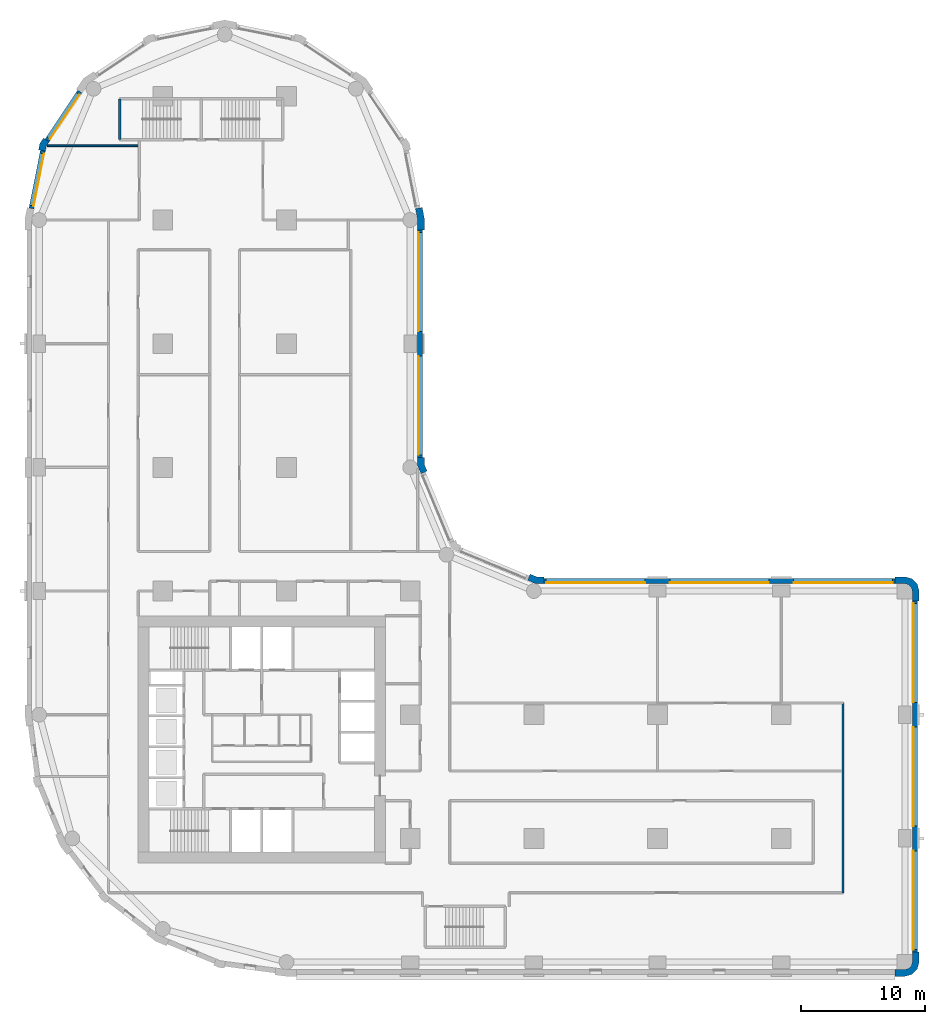
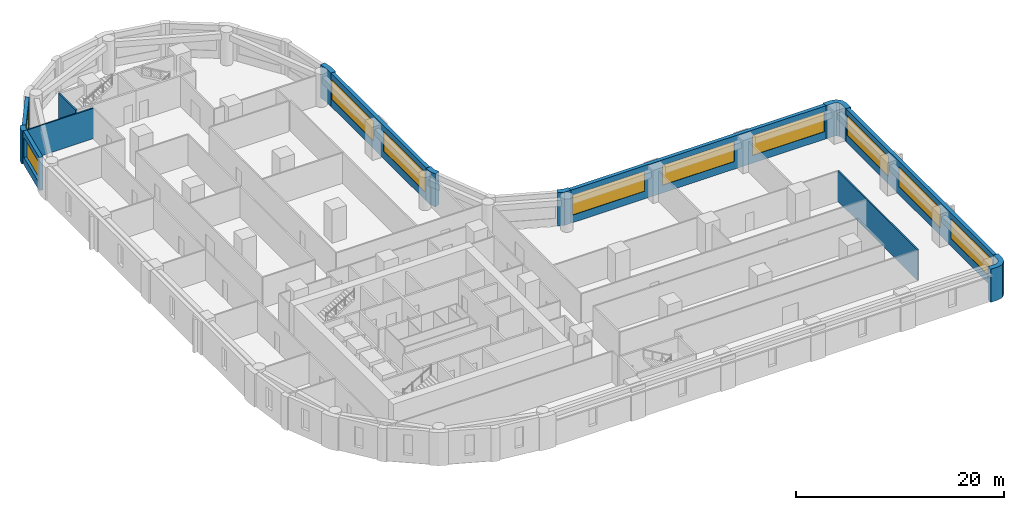
# One storey, part 6 of 10: 14 walls, 10 windows, 10 openings.
"""IFC4 building model written with IfcOpenShell, lengths in metres."""

import ifcopenshell
import ifcopenshell.guid

model = None  # the IFC model being written
_history = None  # IfcOwnerHistory: only IFC2X3 demands one
_inside = {}  # id of a spatial element -> (the spatial element, [elements in it])
_under = {}  # id of a project, library or spatial element -> (it, [spatial elements below it])
_declared = {}  # id of a project -> (the project, [libraries it declares])
_typed = {}  # id of a type object -> (the type object, [elements of that type])
_made_of = {}  # id of a material, layer set ... -> (it, [elements and type objects made of it])


def new_model(schema):
    """Start an empty IFC model of exactly this schema.

    Asked for "IFC4X3", IfcOpenShell would pick the latest addendum, in which some entities
    have other attributes; the version numbers below select the first issue.
    IFC2X3 requires an IfcOwnerHistory on every rooted entity: one is made here for all.
    """
    global model, _history
    if schema == "IFC4X3":
        model = ifcopenshell.file(schema_version=(4, 3, 0, 0))
    else:
        model = ifcopenshell.file(schema=schema)
    _inside.clear()
    _under.clear()
    _declared.clear()
    _typed.clear()
    _made_of.clear()
    _history = None
    if model.schema == "IFC2X3":
        org = make("IfcOrganization", Name="unknown")
        user = make(
            "IfcPersonAndOrganization",
            ThePerson=make("IfcPerson", FamilyName="unknown"),
            TheOrganization=org,
        )
        app = make(
            "IfcApplication",
            ApplicationDeveloper=org,
            Version="unknown",
            ApplicationFullName="unknown",
            ApplicationIdentifier="unknown",
        )
        _history = make(
            "IfcOwnerHistory",
            OwningUser=user,
            OwningApplication=app,
            ChangeAction="ADDED",
            CreationDate=0,
        )
    return model


def make(cls, **values):
    """One entity of the class cls with the attributes given. An attribute that is None is left unset."""
    return model.create_entity(
        cls, **{name: value for name, value in values.items() if value is not None}
    )


def rooted(cls, **values):
    """An entity with a GlobalId (a new one), such as an element, a storey or a relation."""
    return make(cls, GlobalId=ifcopenshell.guid.new(), OwnerHistory=_history, **values)


def si_unit(unit_type, name, prefix=None):
    """IfcSIUnit, for example si_unit("LENGTHUNIT", "METRE", prefix="MILLI")."""
    return make("IfcSIUnit", UnitType=unit_type, Prefix=prefix, Name=name)


def assignment(units):
    """IfcUnitAssignment: the units of a project."""
    return None if units is None else make("IfcUnitAssignment", Units=units)


def point(xyz):
    """IfcCartesianPoint."""
    return None if xyz is None else make("IfcCartesianPoint", Coordinates=xyz)


def direction(xyz):
    """IfcDirection."""
    return None if xyz is None else make("IfcDirection", DirectionRatios=xyz)


def frame(location, z_axis=None, x_axis=None):
    """IfcAxis2Placement3D, a coordinate frame: its origin and axes. An axis left out is left unset."""
    return make(
        "IfcAxis2Placement3D",
        Location=point(location),
        Axis=direction(z_axis),
        RefDirection=direction(x_axis),
    )


def frame_2d(location, x_axis=None):
    """IfcAxis2Placement2D, a coordinate frame in the plane: its origin and x axis."""
    return make(
        "IfcAxis2Placement2D", Location=point(location), RefDirection=direction(x_axis)
    )


def origin():
    """The frame at (0, 0, 0) with its axes left unset."""
    return frame((0.0, 0.0, 0.0))


def place(relative_to, where):
    """IfcLocalPlacement: puts the frame where relative to a parent placement (None: the world)."""
    return make(
        "IfcLocalPlacement", PlacementRelTo=relative_to, RelativePlacement=where
    )


def context(
    kind, dimensions, precision=None, world=None, true_north=None, identifier=None
):
    """IfcGeometricRepresentationContext, for example the 3D "Model" context."""
    return make(
        "IfcGeometricRepresentationContext",
        ContextIdentifier=identifier,
        ContextType=kind,
        CoordinateSpaceDimension=dimensions,
        Precision=precision,
        WorldCoordinateSystem=world,
        TrueNorth=true_north,
    )


def subcontext(parent, identifier, kind, view, scale=None):
    """IfcGeometricRepresentationSubContext, for example "Body" below "Model"."""
    return make(
        "IfcGeometricRepresentationSubContext",
        ContextIdentifier=identifier,
        ContextType=kind,
        ParentContext=parent,
        TargetScale=scale,
        TargetView=view,
    )


def project(units=None, contexts=None):
    """IfcProject with its units and contexts."""
    return rooted(
        "IfcProject",
        Name="project",
        RepresentationContexts=contexts,
        UnitsInContext=assignment(units),
    )


def spatial(cls, under=None, at=None, **own):
    """A site, building, storey or space (cls), placed at a placement, below another one or the project."""
    s = rooted(cls, ObjectPlacement=at, **own)
    if under is not None:
        _under.setdefault(under.id(), (under, []))[1].append(s)
    return s


def polyline(points):
    """IfcPolyline through the points."""
    return make("IfcPolyline", Points=[point(p) for p in points])


def profile(cls, at=None, kind="AREA", **sizes):
    """A parametric profile (cls). Its sizes go by their IFC names, for example OverallWidth=200.0."""
    return make(cls, ProfileType=kind, Position=at, **sizes)


def rectangle(**sizes):
    """IfcRectangleProfileDef."""
    return profile("IfcRectangleProfileDef", **sizes)


def outline(outer, holes=None, kind="AREA"):
    """IfcArbitraryClosedProfileDef: a profile drawn as a closed curve; with holes, ...WithVoids."""
    if holes is None:
        return make("IfcArbitraryClosedProfileDef", ProfileType=kind, OuterCurve=outer)
    return make(
        "IfcArbitraryProfileDefWithVoids",
        ProfileType=kind,
        OuterCurve=outer,
        InnerCurves=holes,
    )


def extrude(swept, where, along, depth):
    """IfcExtrudedAreaSolid: the profile swept, set in the frame where, extruded along a direction by depth."""
    return make(
        "IfcExtrudedAreaSolid",
        SweptArea=swept,
        Position=where,
        ExtrudedDirection=direction(along),
        Depth=depth,
    )


def shape(context_of_items, identifier, shape_type, items):
    """IfcShapeRepresentation: the items that make up one representation, for example the "Body"."""
    return make(
        "IfcShapeRepresentation",
        ContextOfItems=context_of_items,
        RepresentationIdentifier=identifier,
        RepresentationType=shape_type,
        Items=items,
    )


def material(Name=None, Category=None):
    """IfcMaterial."""
    return make("IfcMaterial", Name=Name, Category=Category)


def layer(
    of_material, thickness, ventilated=None, Name=None, Category=None, Priority=None
):
    """IfcMaterialLayer: one layer of a wall or slab, of a material (None: an air gap)."""
    return make(
        "IfcMaterialLayer",
        Material=of_material,
        LayerThickness=thickness,
        IsVentilated=ventilated,
        Name=Name,
        Category=Category,
        Priority=Priority,
    )


def layer_set(layers, Name=None):
    """IfcMaterialLayerSet."""
    return make("IfcMaterialLayerSet", MaterialLayers=layers, LayerSetName=Name)


def made_of(thing, what):
    """Note that an element or type object is made of a material, layer set ...; save() writes the relation."""
    if what is not None:
        _made_of.setdefault(what.id(), (what, []))[1].append(thing)
    return thing


def type_object(cls, material=None, **own):
    """A type object (cls), such as IfcWallType, which elements share."""
    return made_of(rooted(cls, **own), material)


def element(
    cls,
    number,
    at=None,
    inside=None,
    cuts=None,
    type_object=None,
    material=None,
    context=None,
    identifier="Body",
    shape_type=None,
    held_by="IfcProductDefinitionShape",
    body=None,
    shapes=None,
    **own,
):
    """One element of the class cls, such as IfcWall. Its Tag is "e" and its number.

    at: its placement. inside: the storey or other place that contains it. cuts: it is an
    opening in that element (IfcRelVoidsElement). A single representation is given by context,
    identifier, shape_type and body (its items); several are given by shapes. held_by: the class
    of the entity that holds the representations. save() writes the other relations.
    """
    e = rooted(cls, Tag="e%d" % number, ObjectPlacement=at, **own)
    if body is not None:
        shapes = [shape(context, identifier, shape_type, body)]
    if shapes is not None:
        e.Representation = make(held_by, Representations=shapes)
    if inside is not None:
        _inside.setdefault(inside.id(), (inside, []))[1].append(e)
    if cuts is not None:
        rooted(
            "IfcRelVoidsElement", RelatingBuildingElement=cuts, RelatedOpeningElement=e
        )
    if type_object is not None:
        _typed.setdefault(type_object.id(), (type_object, []))[1].append(e)
    return made_of(e, material)


def fill(opening, filler):
    """IfcRelFillsElement: the door or window that sits in an opening."""
    return rooted(
        "IfcRelFillsElement",
        RelatingOpeningElement=opening,
        RelatedBuildingElement=filler,
    )


def aggregate(whole, parts):
    """IfcRelAggregates: a whole, such as a stair, and the parts it consists of."""
    return rooted("IfcRelAggregates", RelatingObject=whole, RelatedObjects=parts)


def save(model, path):
    """Write the relations noted so far, then the file.

    IfcRelAggregates (storeys below a building ...), IfcRelContainedInSpatialStructure (elements
    in a storey), IfcRelDefinesByType, IfcRelAssociatesMaterial and IfcRelDeclares: one each for
    every whole, place, type object, material and project.
    """
    for whole, parts in _under.values():
        aggregate(whole, parts)
    for where, things in _inside.values():
        rooted(
            "IfcRelContainedInSpatialStructure",
            RelatedElements=things,
            RelatingStructure=where,
        )
    for kind, things in _typed.values():
        rooted("IfcRelDefinesByType", RelatedObjects=things, RelatingType=kind)
    for what, things in _made_of.values():
        rooted("IfcRelAssociatesMaterial", RelatedObjects=things, RelatingMaterial=what)
    for by, libraries in _declared.values():
        rooted("IfcRelDeclares", RelatingContext=by, RelatedDefinitions=libraries)
    model.write(path)


model = new_model("IFC4")

# Units and contexts
model_context = context("Model", 3, precision=1e-05, world=origin(), true_north=direction((0.0, 1.0)))
body_context = subcontext(model_context, "Body", "Model", "MODEL_VIEW")
ifc_project = project(units=[si_unit("LENGTHUNIT", "METRE"), si_unit("AREAUNIT", "SQUARE_METRE"), si_unit("VOLUMEUNIT", "CUBIC_METRE"), si_unit("PLANEANGLEUNIT", "RADIAN"), si_unit("MASSUNIT", "GRAM", prefix="KILO")], contexts=[model_context])

# Site, building, storey
site_placement = place(None, origin())
site = spatial("IfcSite", under=ifc_project, at=site_placement, CompositionType="ELEMENT")
building_placement = place(site_placement, origin())
building = spatial("IfcBuilding", under=site, at=building_placement, Name="Qaws Garden Tower", CompositionType="ELEMENT")
storey_placement = place(building_placement, frame((0.0, 0.0, 12.0)))
storey = spatial("IfcBuildingStorey", under=building, at=storey_placement, Name="L02", CompositionType="ELEMENT", Elevation=12.0)

# Walls
ifc_material_1 = material(Name="Clay facing brick masonry", Category="masonry")
ifc_layer_1 = layer(ifc_material_1, 0.550048828125)
ifc_layer_set_1 = layer_set([ifc_layer_1], Name="Clay facing brick masonry")
wall_type_1 = type_object("IfcWallType", Name="Brick corner pier 550 x 2400", PredefinedType="SOLIDWALL", material=ifc_layer_set_1)
placement = place(storey_placement, origin())
element("IfcWall", 1, at=placement, inside=storey, type_object=wall_type_1, Name="E-L02-pier-05", PredefinedType="SOLIDWALL", context=body_context, shape_type="SweptSolid", body=[
    extrude(outline(polyline([(69.199951171875, -1.0), (69.199951171875, -1.14990234375), (70.0, -1.14990234375), (70.574951171875, -0.995849609375), (70.995849609375, -0.574951171875), (71.14990234375, 0.0), (71.14990234375, 0.800048828125), (71.0, 0.800048828125), (70.60009765625, 0.800048828125), (70.60009765625, 0.0), (70.51953125, -0.300048828125), (70.300048828125, -0.51953125), (70.0, -0.60009765625), (69.199951171875, -0.60009765625), (69.199951171875, -1.0)])), origin(), (0.0, 0.0, 1.0), 3.89990234375),
])
element("IfcWall", 2, at=placement, inside=storey, type_object=wall_type_1, Name="E-L02-pier-08", PredefinedType="SOLIDWALL", context=body_context, shape_type="SweptSolid", body=[
    extrude(outline(polyline([(71.0, 29.199951171875), (71.14990234375, 29.199951171875), (71.14990234375, 30.0), (70.995849609375, 30.574951171875), (70.574951171875, 30.995849609375), (70.0, 31.14990234375), (69.199951171875, 31.14990234375), (69.199951171875, 31.0), (69.199951171875, 30.60009765625), (70.0, 30.60009765625), (70.300048828125, 30.51953125), (70.51953125, 30.300048828125), (70.60009765625, 30.0), (70.60009765625, 29.199951171875), (71.0, 29.199951171875)])), origin(), (0.0, 0.0, 1.0), 3.89990234375),
])

# Wall, openings, windows
ifc_material_2 = material(Name="Clay facing brick masonry", Category="masonry")
ifc_layer_2 = layer(ifc_material_2, 0.39990234375)
ifc_layer_set_2 = layer_set([ifc_layer_2], Name="Clay facing brick masonry")
wall_type_2 = type_object("IfcWallType", Name="Brick infill wall 400", PredefinedType="SOLIDWALL", material=ifc_layer_set_2)
wall_3_placement = place(storey_placement, frame((70.800048828125, 0.800048828125, 0.0), z_axis=(0.0, 0.0, 1.0), x_axis=(0.0, 1.0, 0.0)))
wall_3 = element("IfcWall", 3, at=wall_3_placement, inside=storey, type_object=wall_type_2, Name="E-L02-infill-05", PredefinedType="SOLIDWALL", context=body_context, shape_type="SweptSolid", body=[
    extrude(rectangle(XDim=28.39990234375, YDim=0.39990234375, at=frame_2d((14.199951171875, 0.0))), origin(), (0.0, 0.0, 1.0), 3.89990234375),
])
opening_1_placement = place(wall_3_placement, frame((0.199951171875, 0.0, 0.89990234375)))
opening_1 = element("IfcOpeningElement", 4, at=opening_1_placement, cuts=wall_3, Name="Opening W01", PredefinedType="OPENING", context=body_context, shape_type="SweptSolid", body=[
    extrude(rectangle(XDim=8.0, YDim=2.35009765625, at=frame_2d((4.0, 1.175048828125))), frame((0.0, 0.2099609375, 0.0), z_axis=(0.0, -1.0, 0.0), x_axis=(1.0, 0.0, 0.0)), (0.0, 0.0, 1.0), 0.419921875),
])
opening_2_placement = place(wall_3_placement, frame((10.199951171875, 0.0, 0.89990234375)))
opening_2 = element("IfcOpeningElement", 5, at=opening_2_placement, cuts=wall_3, Name="Opening W01", PredefinedType="OPENING", context=body_context, shape_type="SweptSolid", body=[
    extrude(rectangle(XDim=8.0, YDim=2.35009765625, at=frame_2d((4.0, 1.175048828125))), frame((0.0, 0.2099609375, 0.0), z_axis=(0.0, -1.0, 0.0), x_axis=(1.0, 0.0, 0.0)), (0.0, 0.0, 1.0), 0.419921875),
])
opening_3_placement = place(wall_3_placement, frame((20.199951171875, 0.0, 0.89990234375)))
opening_3 = element("IfcOpeningElement", 6, at=opening_3_placement, cuts=wall_3, Name="Opening W01", PredefinedType="OPENING", context=body_context, shape_type="SweptSolid", body=[
    extrude(rectangle(XDim=8.0, YDim=2.35009765625, at=frame_2d((4.0, 1.175048828125))), frame((0.0, 0.2099609375, 0.0), z_axis=(0.0, -1.0, 0.0), x_axis=(1.0, 0.0, 0.0)), (0.0, 0.0, 1.0), 0.419921875),
])
ifc_material_3 = material(Name="Aluminium framed window, clear glazing", Category="aluminium")
window_type_1 = type_object("IfcWindowType", Name="Ribbon window 8000 x 2350", PartitioningType="DOUBLE_PANEL_VERTICAL", PredefinedType="WINDOW", material=ifc_material_3)
window_1_placement = place(opening_1_placement, origin())
window_1 = element("IfcWindow", 7, at=window_1_placement, inside=storey, type_object=window_type_1, Name="E-L02-window-05-0", OverallHeight=2.35009765625, OverallWidth=8.0, PartitioningType="SINGLE_PANEL", PredefinedType="WINDOW", context=body_context, shape_type="SweptSolid", body=[
    extrude(rectangle(XDim=8.0, YDim=2.35009765625, at=frame_2d((4.0, 1.175048828125))), frame((0.0, 0.159912109375, 0.0), z_axis=(0.0, -1.0, 0.0), x_axis=(1.0, 0.0, 0.0)), (0.0, 0.0, 1.0), 0.06005859375),
])
fill(opening_1, window_1)
window_2_placement = place(opening_2_placement, origin())
window_2 = element("IfcWindow", 8, at=window_2_placement, inside=storey, type_object=window_type_1, Name="E-L02-window-06-0", OverallHeight=2.35009765625, OverallWidth=8.0, PartitioningType="SINGLE_PANEL", PredefinedType="WINDOW", context=body_context, shape_type="SweptSolid", body=[
    extrude(rectangle(XDim=8.0, YDim=2.35009765625, at=frame_2d((4.0, 1.175048828125))), frame((0.0, 0.159912109375, 0.0), z_axis=(0.0, -1.0, 0.0), x_axis=(1.0, 0.0, 0.0)), (0.0, 0.0, 1.0), 0.06005859375),
])
fill(opening_2, window_2)
window_3_placement = place(opening_3_placement, origin())
window_3 = element("IfcWindow", 9, at=window_3_placement, inside=storey, type_object=window_type_1, Name="E-L02-window-07-0", OverallHeight=2.35009765625, OverallWidth=8.0, PartitioningType="SINGLE_PANEL", PredefinedType="WINDOW", context=body_context, shape_type="SweptSolid", body=[
    extrude(rectangle(XDim=8.0, YDim=2.35009765625, at=frame_2d((4.0, 1.175048828125))), frame((0.0, 0.159912109375, 0.0), z_axis=(0.0, -1.0, 0.0), x_axis=(1.0, 0.0, 0.0)), (0.0, 0.0, 1.0), 0.06005859375),
])
fill(opening_3, window_3)

wall_4_placement = place(storey_placement, frame((69.199951171875, 30.800048828125, 0.0), z_axis=(0.0, 0.0, 1.0), x_axis=(-1.0, 0.0, 0.0)))
wall_4 = element("IfcWall", 10, at=wall_4_placement, inside=storey, type_object=wall_type_2, Name="E-L02-infill-08", PredefinedType="SOLIDWALL", context=body_context, shape_type="SweptSolid", body=[
    extrude(rectangle(XDim=28.39990234375, YDim=0.39990234375, at=frame_2d((14.199951171875, 0.0))), origin(), (0.0, 0.0, 1.0), 3.89990234375),
])
opening_4_placement = place(wall_4_placement, frame((0.199951171875, 0.0, 0.89990234375)))
opening_4 = element("IfcOpeningElement", 11, at=opening_4_placement, cuts=wall_4, Name="Opening W01", PredefinedType="OPENING", context=body_context, shape_type="SweptSolid", body=[
    extrude(rectangle(XDim=8.0, YDim=2.35009765625, at=frame_2d((4.0, 1.175048828125))), frame((0.0, 0.2099609375, 0.0), z_axis=(0.0, -1.0, 0.0), x_axis=(1.0, 0.0, 0.0)), (0.0, 0.0, 1.0), 0.419921875),
])
opening_5_placement = place(wall_4_placement, frame((10.199951171875, 0.0, 0.89990234375)))
opening_5 = element("IfcOpeningElement", 12, at=opening_5_placement, cuts=wall_4, Name="Opening W01", PredefinedType="OPENING", context=body_context, shape_type="SweptSolid", body=[
    extrude(rectangle(XDim=8.0, YDim=2.35009765625, at=frame_2d((4.0, 1.175048828125))), frame((0.0, 0.2099609375, 0.0), z_axis=(0.0, -1.0, 0.0), x_axis=(1.0, 0.0, 0.0)), (0.0, 0.0, 1.0), 0.419921875),
])
opening_6_placement = place(wall_4_placement, frame((20.199951171875, 0.0, 0.89990234375)))
opening_6 = element("IfcOpeningElement", 13, at=opening_6_placement, cuts=wall_4, Name="Opening W01", PredefinedType="OPENING", context=body_context, shape_type="SweptSolid", body=[
    extrude(rectangle(XDim=8.0, YDim=2.35009765625, at=frame_2d((4.0, 1.175048828125))), frame((0.0, 0.2099609375, 0.0), z_axis=(0.0, -1.0, 0.0), x_axis=(1.0, 0.0, 0.0)), (0.0, 0.0, 1.0), 0.419921875),
])
window_4_placement = place(opening_4_placement, origin())
window_4 = element("IfcWindow", 14, at=window_4_placement, inside=storey, type_object=window_type_1, Name="E-L02-window-08-0", OverallHeight=2.35009765625, OverallWidth=8.0, PartitioningType="SINGLE_PANEL", PredefinedType="WINDOW", context=body_context, shape_type="SweptSolid", body=[
    extrude(rectangle(XDim=8.0, YDim=2.35009765625, at=frame_2d((4.0, 1.175048828125))), frame((0.0, 0.159912109375, 0.0), z_axis=(0.0, -1.0, 0.0), x_axis=(1.0, 0.0, 0.0)), (0.0, 0.0, 1.0), 0.06005859375),
])
fill(opening_4, window_4)
window_5_placement = place(opening_5_placement, origin())
window_5 = element("IfcWindow", 15, at=window_5_placement, inside=storey, type_object=window_type_1, Name="E-L02-window-09-0", OverallHeight=2.35009765625, OverallWidth=8.0, PartitioningType="SINGLE_PANEL", PredefinedType="WINDOW", context=body_context, shape_type="SweptSolid", body=[
    extrude(rectangle(XDim=8.0, YDim=2.35009765625, at=frame_2d((4.0, 1.175048828125))), frame((0.0, 0.159912109375, 0.0), z_axis=(0.0, -1.0, 0.0), x_axis=(1.0, 0.0, 0.0)), (0.0, 0.0, 1.0), 0.06005859375),
])
fill(opening_5, window_5)
window_6_placement = place(opening_6_placement, origin())
window_6 = element("IfcWindow", 16, at=window_6_placement, inside=storey, type_object=window_type_1, Name="E-L02-window-10-0", OverallHeight=2.35009765625, OverallWidth=8.0, PartitioningType="SINGLE_PANEL", PredefinedType="WINDOW", context=body_context, shape_type="SweptSolid", body=[
    extrude(rectangle(XDim=8.0, YDim=2.35009765625, at=frame_2d((4.0, 1.175048828125))), frame((0.0, 0.159912109375, 0.0), z_axis=(0.0, -1.0, 0.0), x_axis=(1.0, 0.0, 0.0)), (0.0, 0.0, 1.0), 0.06005859375),
])
fill(opening_6, window_6)

wall_5_placement = place(storey_placement, frame((30.800048828125, 40.800048828125, 0.0), z_axis=(0.0, 0.0, 1.0), x_axis=(0.0, 1.0, 0.0)))
wall_5 = element("IfcWall", 17, at=wall_5_placement, inside=storey, type_object=wall_type_2, Name="E-L02-infill-13", PredefinedType="SOLIDWALL", context=body_context, shape_type="SweptSolid", body=[
    extrude(rectangle(XDim=18.39990234375, YDim=0.39990234375, at=frame_2d((9.199951171875, 0.0))), origin(), (0.0, 0.0, 1.0), 3.89990234375),
])
opening_7_placement = place(wall_5_placement, frame((0.199951171875, 0.0, 0.89990234375)))
opening_7 = element("IfcOpeningElement", 18, at=opening_7_placement, cuts=wall_5, Name="Opening W01", PredefinedType="OPENING", context=body_context, shape_type="SweptSolid", body=[
    extrude(rectangle(XDim=8.0, YDim=2.35009765625, at=frame_2d((4.0, 1.175048828125))), frame((0.0, 0.2099609375, 0.0), z_axis=(0.0, -1.0, 0.0), x_axis=(1.0, 0.0, 0.0)), (0.0, 0.0, 1.0), 0.419921875),
])
opening_8_placement = place(wall_5_placement, frame((10.199951171875, 0.0, 0.89990234375)))
opening_8 = element("IfcOpeningElement", 19, at=opening_8_placement, cuts=wall_5, Name="Opening W01", PredefinedType="OPENING", context=body_context, shape_type="SweptSolid", body=[
    extrude(rectangle(XDim=8.0, YDim=2.35009765625, at=frame_2d((4.0, 1.175048828125))), frame((0.0, 0.2099609375, 0.0), z_axis=(0.0, -1.0, 0.0), x_axis=(1.0, 0.0, 0.0)), (0.0, 0.0, 1.0), 0.419921875),
])
window_7_placement = place(opening_7_placement, origin())
window_7 = element("IfcWindow", 20, at=window_7_placement, inside=storey, type_object=window_type_1, Name="E-L02-window-13-0", OverallHeight=2.35009765625, OverallWidth=8.0, PartitioningType="SINGLE_PANEL", PredefinedType="WINDOW", context=body_context, shape_type="SweptSolid", body=[
    extrude(rectangle(XDim=8.0, YDim=2.35009765625, at=frame_2d((4.0, 1.175048828125))), frame((0.0, 0.159912109375, 0.0), z_axis=(0.0, -1.0, 0.0), x_axis=(1.0, 0.0, 0.0)), (0.0, 0.0, 1.0), 0.06005859375),
])
fill(opening_7, window_7)
window_8_placement = place(opening_8_placement, origin())
window_8 = element("IfcWindow", 21, at=window_8_placement, inside=storey, type_object=window_type_1, Name="E-L02-window-14-0", OverallHeight=2.35009765625, OverallWidth=8.0, PartitioningType="SINGLE_PANEL", PredefinedType="WINDOW", context=body_context, shape_type="SweptSolid", body=[
    extrude(rectangle(XDim=8.0, YDim=2.35009765625, at=frame_2d((4.0, 1.175048828125))), frame((0.0, 0.159912109375, 0.0), z_axis=(0.0, -1.0, 0.0), x_axis=(1.0, 0.0, 0.0)), (0.0, 0.0, 1.0), 0.06005859375),
])
fill(opening_8, window_8)

# Wall, opening, window
wall_6_placement = place(storey_placement, frame((3.28369140625, 70.385986328125, 0.0), z_axis=(0.0, 0.0, 1.0), x_axis=(-0.555541552266, -0.831488775454, 0.0)))
wall_6 = element("IfcWall", 22, at=wall_6_placement, inside=storey, type_object=wall_type_2, Name="E-L02-infill-21", PredefinedType="SOLIDWALL", context=body_context, shape_type="SweptSolid", body=[
    extrude(rectangle(XDim=4.752685546875, YDim=0.39990234375, at=frame_2d((2.37646484375, 0.0))), origin(), (0.0, 0.0, 1.0), 3.89990234375),
])
opening_9_placement = place(wall_6_placement, frame((0.226318359375, 0.0, 0.89990234375)))
opening_9 = element("IfcOpeningElement", 23, at=opening_9_placement, cuts=wall_6, Name="Opening W06", PredefinedType="OPENING", context=body_context, shape_type="SweptSolid", body=[
    extrude(rectangle(XDim=4.300048828125, YDim=2.35009765625, at=frame_2d((2.14990234375, 1.175048828125))), frame((0.0, 0.2099609375, 0.0), z_axis=(0.0, -1.0, 0.0), x_axis=(1.0, 0.0, 0.0)), (0.0, 0.0, 1.0), 0.419921875),
])
ifc_material_4 = material(Name="Aluminium framed window, clear glazing", Category="aluminium")
window_type_2 = type_object("IfcWindowType", Name="Ribbon window 4300 x 2350", PartitioningType="DOUBLE_PANEL_VERTICAL", PredefinedType="WINDOW", material=ifc_material_4)
window_9_placement = place(opening_9_placement, origin())
window_9 = element("IfcWindow", 24, at=window_9_placement, inside=storey, type_object=window_type_2, Name="E-L02-window-21-0", OverallHeight=2.35009765625, OverallWidth=4.300048828125, PartitioningType="SINGLE_PANEL", PredefinedType="WINDOW", context=body_context, shape_type="SweptSolid", body=[
    extrude(rectangle(XDim=4.300048828125, YDim=2.35009765625, at=frame_2d((2.14990234375, 1.175048828125))), frame((0.0, 0.159912109375, 0.0), z_axis=(0.0, -1.0, 0.0), x_axis=(1.0, 0.0, 0.0)), (0.0, 0.0, 1.0), 0.06005859375),
])
fill(opening_9, window_9)

wall_7_placement = place(storey_placement, frame((0.298583984375, 65.60205078125, 0.0), z_axis=(0.0, 0.0, 1.0), x_axis=(-0.195098533057, -0.98078364709, 0.0)))
wall_7 = element("IfcWall", 25, at=wall_7_placement, inside=storey, type_object=wall_type_2, Name="E-L02-infill-22", PredefinedType="SOLIDWALL", context=body_context, shape_type="SweptSolid", body=[
    extrude(rectangle(XDim=4.752685546875, YDim=0.39990234375, at=frame_2d((2.37646484375, 0.0))), origin(), (0.0, 0.0, 1.0), 3.89990234375),
])
opening_10_placement = place(wall_7_placement, frame((0.226318359375, 0.0, 0.89990234375)))
opening_10 = element("IfcOpeningElement", 26, at=opening_10_placement, cuts=wall_7, Name="Opening W06", PredefinedType="OPENING", context=body_context, shape_type="SweptSolid", body=[
    extrude(rectangle(XDim=4.300048828125, YDim=2.35009765625, at=frame_2d((2.14990234375, 1.175048828125))), frame((0.0, 0.2099609375, 0.0), z_axis=(0.0, -1.0, 0.0), x_axis=(1.0, 0.0, 0.0)), (0.0, 0.0, 1.0), 0.419921875),
])
window_10_placement = place(opening_10_placement, origin())
window_10 = element("IfcWindow", 27, at=window_10_placement, inside=storey, type_object=window_type_2, Name="E-L02-window-22-0", OverallHeight=2.35009765625, OverallWidth=4.300048828125, PartitioningType="SINGLE_PANEL", PredefinedType="WINDOW", context=body_context, shape_type="SweptSolid", body=[
    extrude(rectangle(XDim=4.300048828125, YDim=2.35009765625, at=frame_2d((2.14990234375, 1.175048828125))), frame((0.0, 0.159912109375, 0.0), z_axis=(0.0, -1.0, 0.0), x_axis=(1.0, 0.0, 0.0)), (0.0, 0.0, 1.0), 0.06005859375),
])
fill(opening_10, window_10)

# Walls
ifc_material_5 = material(Name="Clay facing brick masonry", Category="masonry")
ifc_layer_3 = layer(ifc_material_5, 0.550048828125)
ifc_layer_set_3 = layer_set([ifc_layer_3], Name="Clay facing brick masonry")
wall_type_3 = type_object("IfcWallType", Name="Brick kink pier 550 x 600", PredefinedType="SOLIDWALL", material=ifc_layer_set_3)
element("IfcWall", 28, at=placement, inside=storey, type_object=wall_type_3, Name="E-L02-pier-22", PredefinedType="SOLIDWALL", context=body_context, shape_type="SweptSolid", body=[
    extrude(outline(polyline([(0.47705078125, 66.545166015625), (0.352294921875, 66.628662109375), (0.05859375, 66.18896484375), (-0.044677734375, 65.67041015625), (0.1025390625, 65.64111328125), (0.494873046875, 65.56298828125), (0.57666015625, 65.974365234375), (0.8095703125, 66.322998046875), (0.47705078125, 66.545166015625)])), origin(), (0.0, 0.0, 1.0), 3.89990234375),
])
ifc_material_6 = material(Name="Clay facing brick masonry", Category="masonry")
ifc_layer_4 = layer(ifc_material_6, 0.550048828125)
ifc_layer_set_4 = layer_set([ifc_layer_4], Name="Clay facing brick masonry")
wall_type_4 = type_object("IfcWallType", Name="Brick pier 550 x 1600", PredefinedType="SOLIDWALL", material=ifc_layer_set_4)
element("IfcWall", 29, at=placement, inside=storey, type_object=wall_type_4, Name="E-L02-pier-11", PredefinedType="SOLIDWALL", context=body_context, shape_type="SweptSolid", body=[
    extrude(outline(polyline([(40.800048828125, 31.0), (40.800048828125, 31.14990234375), (40.228759765625, 31.14990234375), (39.700927734375, 31.36865234375), (39.6435546875, 31.22998046875), (39.490478515625, 30.860595703125), (40.119384765625, 30.60009765625), (40.800048828125, 30.60009765625), (40.800048828125, 31.0)])), origin(), (0.0, 0.0, 1.0), 3.89990234375),
])
element("IfcWall", 30, at=placement, inside=storey, type_object=wall_type_4, Name="E-L02-pier-13", PredefinedType="SOLIDWALL", context=body_context, shape_type="SweptSolid", body=[
    extrude(outline(polyline([(31.22998046875, 39.6435546875), (31.36865234375, 39.700927734375), (31.14990234375, 40.228759765625), (31.14990234375, 40.800048828125), (31.0, 40.800048828125), (30.60009765625, 40.800048828125), (30.60009765625, 40.119384765625), (30.860595703125, 39.490478515625), (31.22998046875, 39.6435546875)])), origin(), (0.0, 0.0, 1.0), 3.89990234375),
])
element("IfcWall", 31, at=placement, inside=storey, type_object=wall_type_4, Name="E-L02-pier-15", PredefinedType="SOLIDWALL", context=body_context, shape_type="SweptSolid", body=[
    extrude(outline(polyline([(31.0, 59.199951171875), (31.14990234375, 59.199951171875), (31.14990234375, 60.11328125), (30.971923828125, 61.009033203125), (30.82470703125, 60.979736328125), (30.432373046875, 60.901611328125), (30.60009765625, 60.05908203125), (30.60009765625, 59.199951171875), (31.0, 59.199951171875)])), origin(), (0.0, 0.0, 1.0), 3.89990234375),
])
ifc_material_7 = material(Name="Concrete C80", Category="concrete")
ifc_layer_5 = layer(ifc_material_7, 0.199951171875)
ifc_layer_set_5 = layer_set([ifc_layer_5], Name="Concrete C80")
wall_type_5 = type_object("IfcWallType", Name="Core shaft wall 200 C80", PredefinedType="SHEAR", material=ifc_layer_set_5)
wall_12_placement = place(storey_placement, frame((6.5, 66.5, 0.0), z_axis=(0.0, 0.0, 1.0), x_axis=(0.0, 1.0, 0.0)))
element("IfcWall", 32, at=wall_12_placement, inside=storey, type_object=wall_type_5, Name="Shaft wall", PredefinedType="SHEAR", context=body_context, shape_type="SweptSolid", body=[
    extrude(rectangle(XDim=3.300048828125, YDim=0.199951171875, at=frame_2d((1.64990234375, 0.0))), origin(), (0.0, 0.0, 1.0), 3.580078125),
])
ifc_material_8 = material(Name="Gypsum board partition")
ifc_layer_6 = layer(ifc_material_8, 0.14990234375)
ifc_layer_set_6 = layer_set([ifc_layer_6], Name="Gypsum board partition")
wall_type_6 = type_object("IfcWallType", Name="PARTITION 150 EI 60", PredefinedType="PARTITIONING", material=ifc_layer_set_6)
wall_13_placement = place(storey_placement, frame((65.0, 5.60009765625, 0.0), z_axis=(0.0, 0.0, 1.0), x_axis=(0.0, 1.0, 0.0)))
element("IfcWall", 33, at=wall_13_placement, inside=storey, type_object=wall_type_6, Name="O-L02-wall-027", PredefinedType="PARTITIONING", context=body_context, shape_type="SweptSolid", body=[
    extrude(rectangle(XDim=15.349853515625, YDim=0.14990234375, at=frame_2d((7.6748046875, 0.0))), origin(), (0.0, 0.0, 1.0), 3.580078125),
])
wall_14_placement = place(storey_placement, frame((0.643798828125, 66.0, 0.0), z_axis=(0.0, 0.0, 1.0), x_axis=(1.0, 0.0, 0.0)))
element("IfcWall", 34, at=wall_14_placement, inside=storey, type_object=wall_type_6, Name="O-L02-wall-058", PredefinedType="PARTITIONING", context=body_context, shape_type="SweptSolid", body=[
    extrude(rectangle(XDim=7.456298828125, YDim=0.14990234375, at=frame_2d((3.72802734375, 0.0))), origin(), (0.0, 0.0, 1.0), 3.580078125),
])

save(model, "model.ifc")
